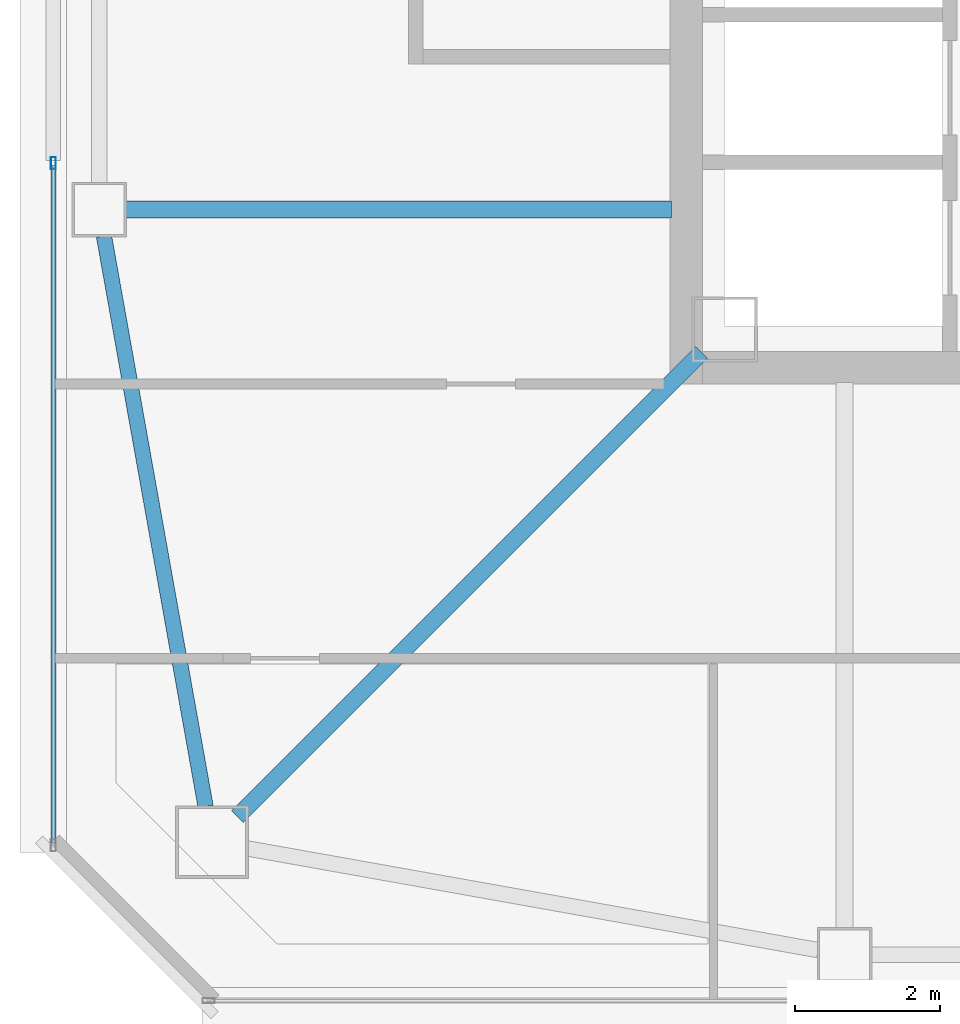
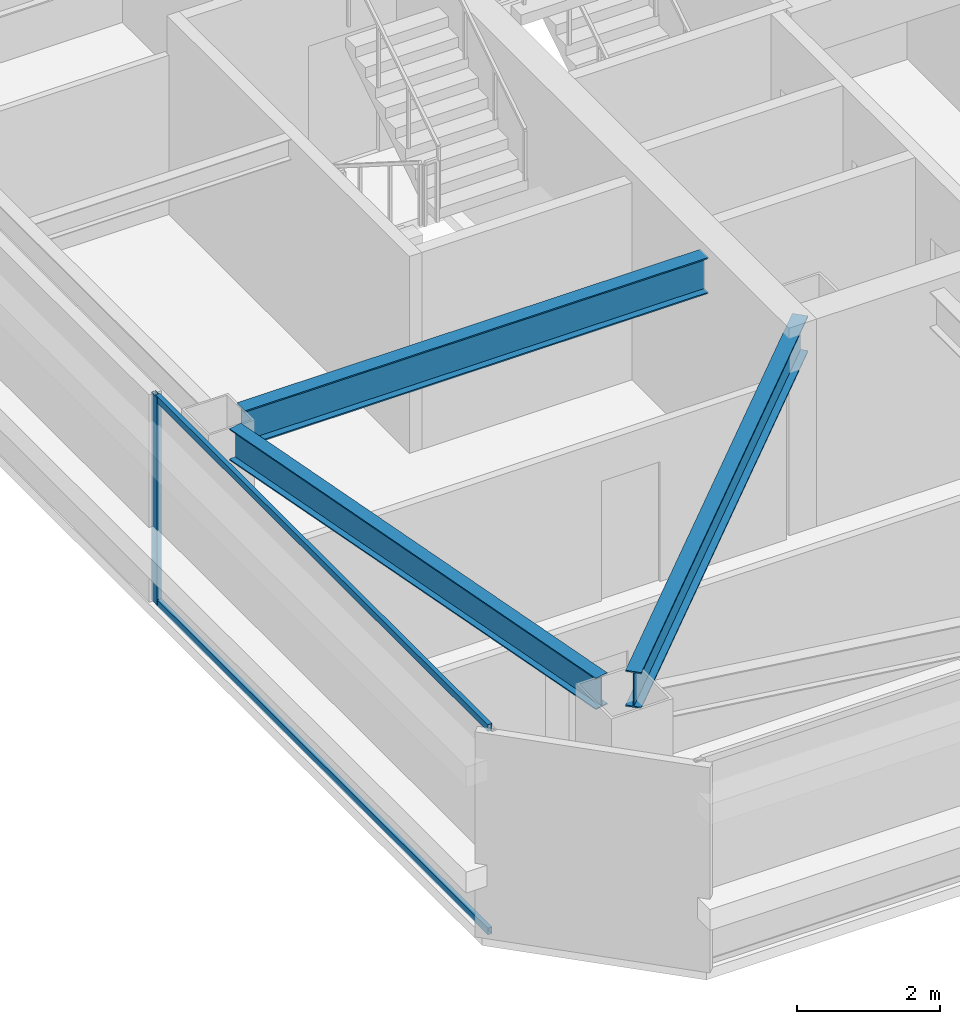
# One storey, part 4 of 39: 3 beams, 3 members, 1 element without a shape of its own.
"""IFC4 building model written with IfcOpenShell, lengths in metres."""

from ifc_helpers import new_model, si_unit, direction, frame, origin, origin_2d, place, context, subcontext, project, spatial, hollow_rectangle, i_section, extrude, material, material_profile, profile_set, type_object, element, aggregate, save


model = new_model("IFC4")

# Units and contexts
model_context = context("Model", 3, precision=1e-05, world=origin(), true_north=direction((0.0, 1.0)))
body_context = subcontext(model_context, "Body", "Model", "MODEL_VIEW")
ifc_project = project(units=[si_unit("LENGTHUNIT", "METRE"), si_unit("AREAUNIT", "SQUARE_METRE"), si_unit("VOLUMEUNIT", "CUBIC_METRE"), si_unit("PLANEANGLEUNIT", "RADIAN"), si_unit("MASSUNIT", "GRAM", prefix="KILO")], contexts=[model_context])

# Site, building, storey
site_placement = place(None, origin())
site = spatial("IfcSite", under=ifc_project, at=site_placement, CompositionType="ELEMENT")
building_placement = place(site_placement, origin())
building = spatial("IfcBuilding", under=site, at=building_placement, Name="Tashvorn Skyway Center", CompositionType="ELEMENT")
storey_placement = place(building_placement, frame((0.0, 0.0, 207.75)))
storey = spatial("IfcBuildingStorey", under=building, at=storey_placement, Name="L56", CompositionType="ELEMENT", Elevation=207.75)

# Beams
ifc_material_1 = material(Name="Steel ASTM A992 Grade 50", Category="steel")
ifc_material_profile_1 = material_profile(ifc_material_1, i_section(OverallWidth=0.22998046875, OverallDepth=0.616943359375, WebThickness=0.01318359375, FlangeThickness=0.022216796875, at=origin_2d()), Name="W24X94")
ifc_profile_set_1 = profile_set([ifc_material_profile_1], Name="Steel ASTM A992 Grade 50")
beam_type_1 = type_object("IfcBeamType", Name="BM-BEAM-W24X94", PredefinedType="BEAM", material=ifc_profile_set_1)
beam_1_placement = place(storey_placement, frame((28.25, 18.25, 3.0615234375), z_axis=(0.707106781187, 0.707106781187, 0.0), x_axis=(-0.707106781187, 0.707106781187, 0.0)))
element("IfcBeam", 1, at=beam_1_placement, inside=storey, type_object=beam_type_1, Name="Tower 1 L56 Primary Floor Girder MC-SW", PredefinedType="BEAM", context=body_context, shape_type="SweptSolid", body=[
    extrude(i_section(OverallWidth=0.22998046875, OverallDepth=0.616943359375, WebThickness=0.01318359375, FlangeThickness=0.022216796875, at=origin_2d()), origin(), (0.0, 0.0, 1.0), 9.030029296875),
])
beam_2_placement = place(storey_placement, frame((26.719970703125, 26.60009765625, 3.0615234375), z_axis=(1.0, 0.0, 0.0), x_axis=(0.0, 1.0, 0.0)))
element("IfcBeam", 2, at=beam_2_placement, inside=storey, type_object=beam_type_1, Name="Tower 1 L56 Primary Floor Girder FC-W2", PredefinedType="BEAM", context=body_context, shape_type="SweptSolid", body=[
    extrude(i_section(OverallWidth=0.22998046875, OverallDepth=0.616943359375, WebThickness=0.01318359375, FlangeThickness=0.022216796875, at=origin_2d()), origin(), (0.0, 0.0, 1.0), 7.5),
])
ifc_material_profile_2 = material_profile(ifc_material_1, i_section(OverallWidth=0.2109375, OverallDepth=0.5390625, WebThickness=0.01171875, FlangeThickness=0.018798828125, at=origin_2d()), Name="W21X73")
ifc_profile_set_2 = profile_set([ifc_material_profile_2], Name="Steel ASTM A992 Grade 50")
beam_type_2 = type_object("IfcBeamType", Name="BM-SPANDREL-W21X73", PredefinedType="SPANDREL", material=ifc_profile_set_2)
beam_3_placement = place(storey_placement, frame((26.414794921875, 26.23583984375, 3.1005859375), z_axis=(0.17541329759, -0.984494883191, 0.0), x_axis=(0.984494883191, 0.17541329759, 0.0)))
element("IfcBeam", 3, at=beam_3_placement, inside=storey, type_object=beam_type_2, Name="Tower 1 L56 Spandrel Beam 12", PredefinedType="SPANDREL", context=body_context, shape_type="SweptSolid", body=[
    extrude(i_section(OverallWidth=0.2109375, OverallDepth=0.5390625, WebThickness=0.01171875, FlangeThickness=0.018798828125, at=origin_2d()), origin(), (0.0, 0.0, 1.0), 7.97216796875),
])

# Curtain wall, members
ifc_material_2 = material(Name="Thermally broken bronze-anodized aluminium 6063-T6", Category="aluminium")
curtain_wall_type = type_object("IfcCurtainWallType", Name="CW-CW-Z5", PredefinedType="NOTDEFINED", material=ifc_material_2)
curtain_wall_placement = place(storey_placement, origin())
curtain_wall = element("IfcCurtainWall", 4, at=curtain_wall_placement, inside=storey, type_object=curtain_wall_type, Name="Tower 1 L56 West Unitised Curtain Wall Glazing Group 1", PredefinedType="NOTDEFINED")
ifc_material_profile_3 = material_profile(ifc_material_2, hollow_rectangle(XDim=0.070068359375, YDim=0.1650390625, WallThickness=0.00390625, at=origin_2d()), Name="ALU-MULL-70x165")
ifc_profile_set_3 = profile_set([ifc_material_profile_3], Name="Thermally broken bronze-anodized aluminium 6063-T6")
member_type_1 = type_object("IfcMemberType", Name="CWM-CW-Z5", PredefinedType="MULLION", material=ifc_profile_set_3)
member_1_placement = place(storey_placement, frame((25.719970703125, 27.23828125, 0.0), z_axis=(0.0, 0.0, 1.0), x_axis=(-1.0, 0.0, 0.0)))
member_1 = element("IfcMember", 5, at=member_1_placement, type_object=member_type_1, Name="CW-Z5 mullion 2", PredefinedType="MULLION", context=body_context, shape_type="SweptSolid", body=[
    extrude(hollow_rectangle(XDim=0.070068359375, YDim=0.1650390625, WallThickness=0.00390625, at=origin_2d()), origin(), (0.0, 0.0, 1.0), 3.550048828125),
])
ifc_material_profile_4 = material_profile(ifc_material_2, hollow_rectangle(XDim=0.070068359375, YDim=0.114990234375, WallThickness=0.00390625, at=origin_2d()), Name="ALU-TRAN-70x115")
ifc_profile_set_4 = profile_set([ifc_material_profile_4], Name="Thermally broken bronze-anodized aluminium 6063-T6")
member_type_2 = type_object("IfcMemberType", Name="CWT-CW-Z5", PredefinedType="USERDEFINED", material=ifc_profile_set_4)
member_2_placement = place(storey_placement, frame((25.719970703125, 17.889892578125, 0.034912109375), z_axis=(0.0, 1.0, 0.0), x_axis=(-1.0, 0.0, 0.0)))
member_2 = element("IfcMember", 6, at=member_2_placement, type_object=member_type_2, Name="CW-Z5 transom 1.1", ObjectType="TRANSOM", PredefinedType="USERDEFINED", context=body_context, shape_type="SweptSolid", body=[
    extrude(hollow_rectangle(XDim=0.070068359375, YDim=0.114990234375, WallThickness=0.00390625, at=origin_2d()), origin(), (0.0, 0.0, 1.0), 9.3134765625),
])
member_3_placement = place(storey_placement, frame((25.719970703125, 17.889892578125, 3.514892578125), z_axis=(0.0, 1.0, 0.0), x_axis=(-1.0, 0.0, 0.0)))
member_3 = element("IfcMember", 7, at=member_3_placement, type_object=member_type_2, Name="CW-Z5 transom 1.2", ObjectType="TRANSOM", PredefinedType="USERDEFINED", context=body_context, shape_type="SweptSolid", body=[
    extrude(hollow_rectangle(XDim=0.070068359375, YDim=0.114990234375, WallThickness=0.00390625, at=origin_2d()), origin(), (0.0, 0.0, 1.0), 9.3134765625),
])
aggregate(curtain_wall, [member_1, member_2, member_3])

save(model, "model.ifc")
